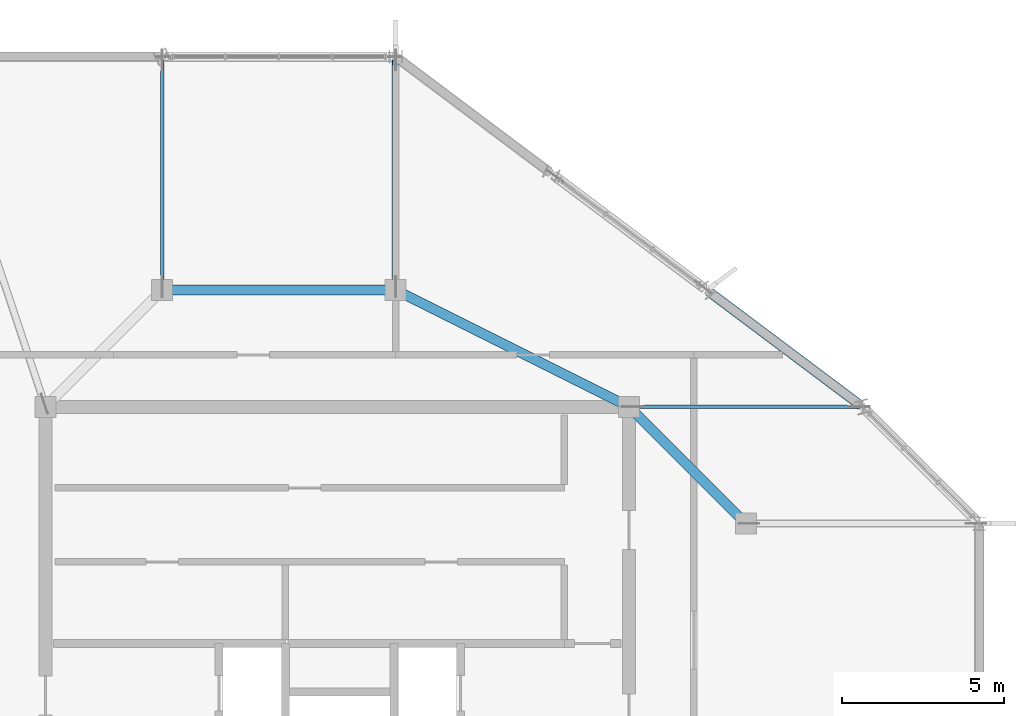
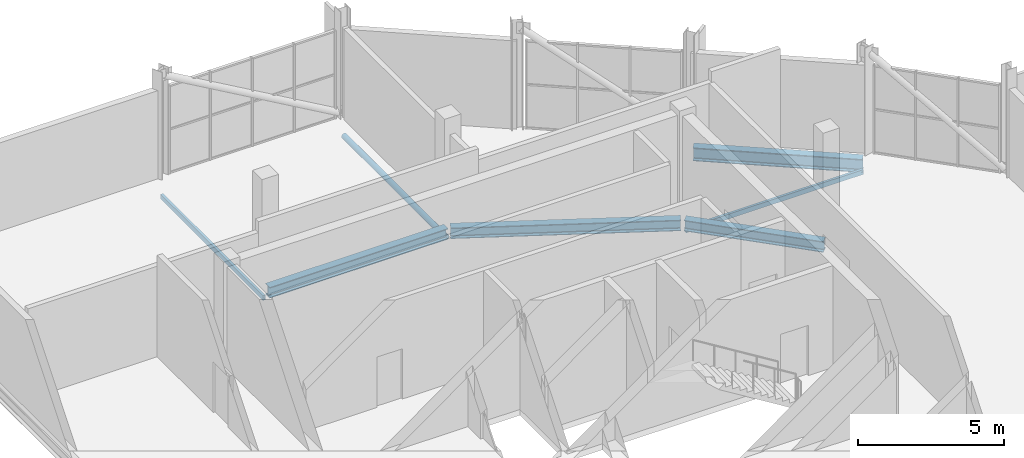
# One storey, part 9 of 22: 4 beams, 3 members.
"""IFC4 building model written with IfcOpenShell, lengths in metres."""

from ifc_helpers import new_model, si_unit, direction, frame, origin, origin_2d, place, context, subcontext, project, spatial, hollow_rectangle, hollow_circle, i_section, extrude, material, material_profile, profile_set, type_object, element, save


model = new_model("IFC4")

# Units and contexts
model_context = context("Model", 3, precision=1e-05, world=origin(), true_north=direction((0.0, 1.0)))
body_context = subcontext(model_context, "Body", "Model", "MODEL_VIEW")
ifc_project = project(units=[si_unit("LENGTHUNIT", "METRE"), si_unit("AREAUNIT", "SQUARE_METRE"), si_unit("VOLUMEUNIT", "CUBIC_METRE"), si_unit("PLANEANGLEUNIT", "RADIAN"), si_unit("MASSUNIT", "GRAM", prefix="KILO")], contexts=[model_context])

# Site, building, storey
site_placement = place(None, origin())
site = spatial("IfcSite", under=ifc_project, at=site_placement, CompositionType="ELEMENT")
building_placement = place(site_placement, origin())
building = spatial("IfcBuilding", under=site, at=building_placement, Name="Solnavia Interchange Tower", CompositionType="ELEMENT")
storey_placement = place(building_placement, frame((0.0, 0.0, 317.699951171875)))
storey = spatial("IfcBuildingStorey", under=building, at=storey_placement, Name="C04", CompositionType="ELEMENT", Elevation=317.699951171875)

# Beams
ifc_material_1 = material(Name="Steel S460", Category="steel")
ifc_material_profile_1 = material_profile(ifc_material_1, i_section(OverallWidth=0.300048828125, OverallDepth=0.449951171875, WebThickness=0.013916015625, FlangeThickness=0.02587890625, FilletRadius=0.027099609375, at=origin_2d()), Name="HEB 450")
ifc_profile_set_1 = profile_set([ifc_material_profile_1], Name="Steel S460")
beam_type_1 = type_object("IfcBeamType", Name="Beam-Girder-HEB450", PredefinedType="BEAM", material=ifc_profile_set_1)
beam_1_placement = place(storey_placement, frame((35.943359375, 21.656494140625, -0.474853515625), z_axis=(-0.707106781187, 0.707106781187, 0.0), x_axis=(-0.707106781187, -0.707106781187, 0.0)))
element("IfcBeam", 1, at=beam_1_placement, inside=storey, type_object=beam_type_1, Name="GRD-C04-CI01 Crown inner ring girder", PredefinedType="BEAM", context=body_context, shape_type="SweptSolid", body=[
    extrude(i_section(OverallWidth=0.300048828125, OverallDepth=0.449951171875, WebThickness=0.013916015625, FlangeThickness=0.02587890625, FilletRadius=0.027099609375, at=origin_2d()), origin(), (0.0, 0.0, 1.0), 4.93115234375),
])
beam_2_placement = place(storey_placement, frame((32.328369140625, 25.23583984375, -0.474853515625), z_axis=(-0.894433379694, 0.447201217898, 0.0), x_axis=(-0.447201217898, -0.894433379694, 0.0)))
element("IfcBeam", 2, at=beam_2_placement, inside=storey, type_object=beam_type_1, Name="GRD-C04-CI02 Crown inner ring girder", PredefinedType="BEAM", context=body_context, shape_type="SweptSolid", body=[
    extrude(i_section(OverallWidth=0.300048828125, OverallDepth=0.449951171875, WebThickness=0.013916015625, FlangeThickness=0.02587890625, FilletRadius=0.027099609375, at=origin_2d()), origin(), (0.0, 0.0, 1.0), 7.889892578125),
])
beam_3_placement = place(storey_placement, frame((25.1201171875, 28.800048828125, -0.474853515625), z_axis=(-1.0, 0.0, 0.0), x_axis=(0.0, -1.0, 0.0)))
element("IfcBeam", 3, at=beam_3_placement, inside=storey, type_object=beam_type_1, Name="GRD-C04-CI03 Crown inner ring girder", PredefinedType="BEAM", context=body_context, shape_type="SweptSolid", body=[
    extrude(i_section(OverallWidth=0.300048828125, OverallDepth=0.449951171875, WebThickness=0.013916015625, FlangeThickness=0.02587890625, FilletRadius=0.027099609375, at=origin_2d()), origin(), (0.0, 0.0, 1.0), 7.0400390625),
])

# Members
ifc_material_2 = material(Name="Steel S355", Category="steel")
ifc_material_profile_2 = material_profile(ifc_material_2, hollow_circle(Radius=0.109619140625, WallThickness=0.010009765625, at=origin_2d()), Name="CHS 219.1x10")
ifc_profile_set_2 = profile_set([ifc_material_profile_2], Name="Steel S355")
member_type_1 = type_object("IfcMemberType", Name="CrownFrame-Collar-CHS219", PredefinedType="COLLAR", material=ifc_profile_set_2)
member_placement = place(storey_placement, frame((25.199951171875, 28.89990234375, -0.800048828125), z_axis=(0.0, 1.0, 0.0), x_axis=(-1.0, 0.0, 0.0)))
element("IfcMember", 4, at=member_placement, inside=storey, type_object=member_type_1, Name="OTR-C04-CL03 CROWN FRAME radial collar member", PredefinedType="COLLAR", context=body_context, shape_type="SweptSolid", body=[
    extrude(hollow_circle(Radius=0.109619140625, WallThickness=0.010009765625, at=origin_2d()), origin(), (0.0, 0.0, 1.0), 7.0),
])
ifc_material_profile_3 = material_profile(ifc_material_2, hollow_rectangle(XDim=0.10009765625, YDim=0.199951171875, WallThickness=0.008056640625, at=origin_2d()), Name="RHS 200x100x8")
ifc_profile_set_3 = profile_set([ifc_material_profile_3], Name="Steel S355")
member_type_2 = type_object("IfcMemberType", Name="CrownFrame-Collar-RHS200", PredefinedType="COLLAR", material=ifc_profile_set_3)
for number, where, z_axis, x_axis, name in (
    (5, (32.5, 25.199951171875, -0.800048828125), (1.0, 0.0, 0.0), (0.0, 1.0, 0.0), "OTR-C04-CL02 CROWN FRAME radial collar member"),
    (6, (18.0, 28.89990234375, -0.800048828125), (0.0, 1.0, 0.0), (-1.0, 0.0, 0.0), "OTR-C04-CL04 CROWN FRAME radial collar member"),
):
    element("IfcMember", number, at=place(storey_placement, frame(where, z_axis=z_axis, x_axis=x_axis)), inside=storey, type_object=member_type_2, Name=name, PredefinedType="COLLAR", context=body_context, shape_type="SweptSolid", body=[
        extrude(hollow_rectangle(XDim=0.10009765625, YDim=0.199951171875, WallThickness=0.008056640625, at=origin_2d()), origin(), (0.0, 0.0, 1.0), 7.0),
    ])

# Beam
ifc_material_profile_4 = material_profile(ifc_material_1, i_section(OverallWidth=0.300048828125, OverallDepth=0.550048828125, WebThickness=0.014892578125, FlangeThickness=0.029052734375, FilletRadius=0.027099609375, at=origin_2d()), Name="HEB 550")
ifc_profile_set_4 = profile_set([ifc_material_profile_4], Name="Steel S460")
beam_type_2 = type_object("IfcBeamType", Name="CrownFrame-Ring-HEB550", PredefinedType="BEAM", material=ifc_profile_set_4)
beam_4_placement = place(storey_placement, frame((39.535888671875, 25.248046875, -0.52490234375), z_axis=(-0.8, 0.6, 0.0), x_axis=(-0.6, -0.8, 0.0)))
element("IfcBeam", 7, at=beam_4_placement, inside=storey, type_object=beam_type_2, Name="GRD-C04-CR02 CROWN FRAME outer collar ring beam", PredefinedType="BEAM", context=body_context, shape_type="SweptSolid", body=[
    extrude(i_section(OverallWidth=0.300048828125, OverallDepth=0.550048828125, WebThickness=0.014892578125, FlangeThickness=0.029052734375, FilletRadius=0.027099609375, at=origin_2d()), origin(), (0.0, 0.0, 1.0), 5.83984375),
])

save(model, "model.ifc")
